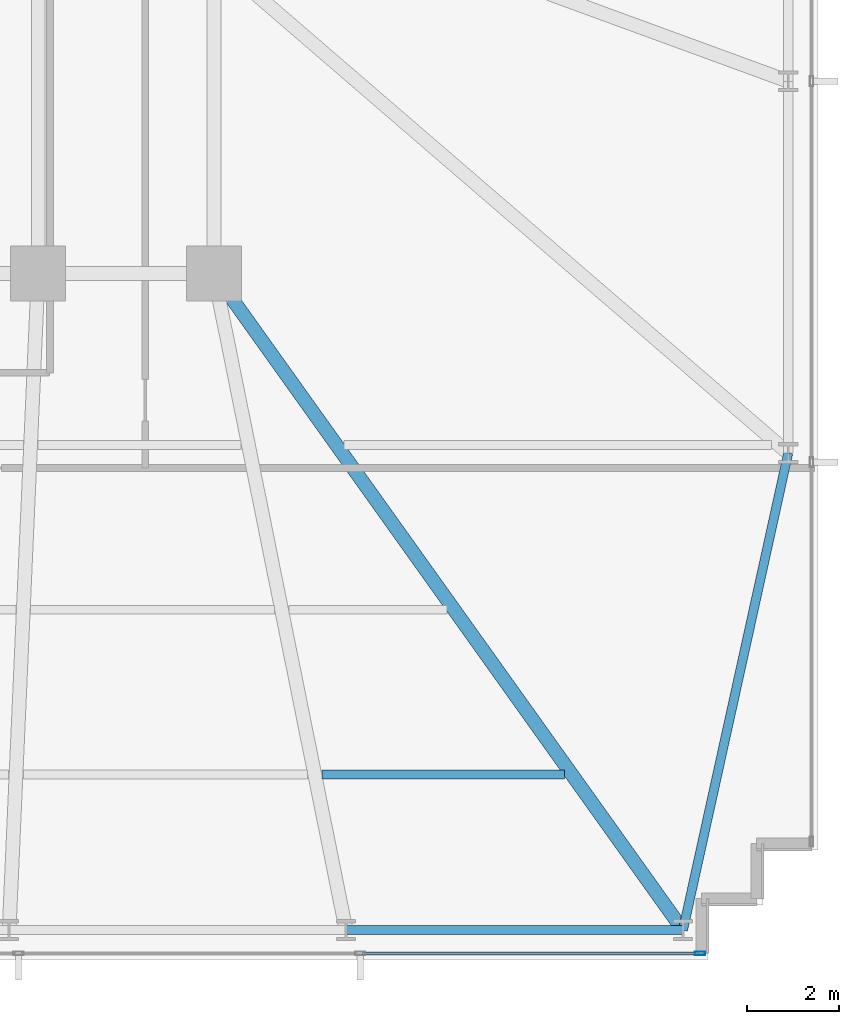
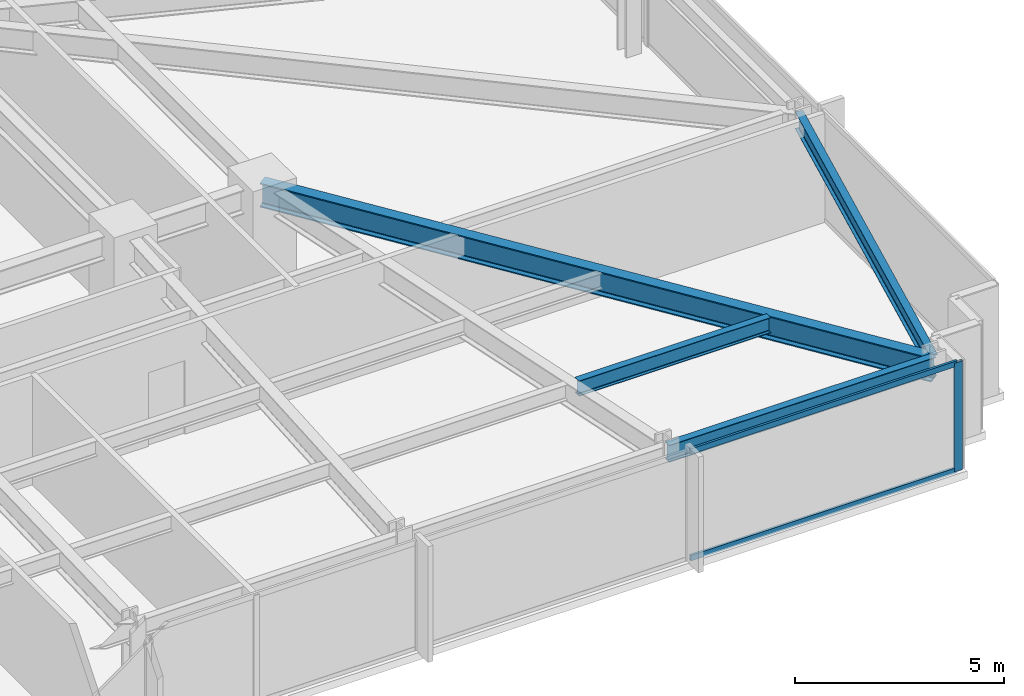
# One storey, part 15 of 32: 4 beams, 3 members, 1 element without a shape of its own.
"""IFC4 building model written with IfcOpenShell, lengths in metres."""

from ifc_helpers import new_model, si_unit, direction, frame, origin, origin_2d, place, context, subcontext, project, spatial, hollow_rectangle, i_section, extrude, material, material_profile, profile_set, type_object, element, aggregate, save


model = new_model("IFC4")

# Units and contexts
model_context = context("Model", 3, precision=1e-05, world=origin(), true_north=direction((0.0, 1.0)))
body_context = subcontext(model_context, "Body", "Model", "MODEL_VIEW")
ifc_project = project(units=[si_unit("LENGTHUNIT", "METRE"), si_unit("AREAUNIT", "SQUARE_METRE"), si_unit("VOLUMEUNIT", "CUBIC_METRE"), si_unit("PLANEANGLEUNIT", "RADIAN"), si_unit("MASSUNIT", "GRAM", prefix="KILO")], contexts=[model_context])

# Site, building, storey
site_placement = place(None, origin())
site = spatial("IfcSite", under=ifc_project, at=site_placement, CompositionType="ELEMENT")
building_placement = place(site_placement, origin())
building = spatial("IfcBuilding", under=site, at=building_placement, Name="Yelkora Congress Tower", CompositionType="ELEMENT")
storey_placement = place(building_placement, frame((0.0, 0.0, 40.60009765625)))
storey = spatial("IfcBuildingStorey", under=building, at=storey_placement, Name="L09", CompositionType="ELEMENT", Elevation=40.60009765625)

# Beams
ifc_material_1 = material(Name="Steel S355J2", Category="steel")
ifc_material_profile_1 = material_profile(ifc_material_1, i_section(OverallWidth=0.300048828125, OverallDepth=0.699951171875, WebThickness=0.01708984375, FlangeThickness=0.031982421875, FilletRadius=0.027099609375, at=origin_2d()), Name="HEB 700")
ifc_profile_set_1 = profile_set([ifc_material_profile_1], Name="Steel S355J2")
beam_type_1 = type_object("IfcBeamType", Name="BM-GIRD-HEB700", PredefinedType="BEAM", material=ifc_profile_set_1)
beam_1_placement = place(storey_placement, frame((67.85009765625, 10.85009765625, 2.829833984375), z_axis=(-0.581242122521, 0.813730664906, 0.0), x_axis=(-0.813730664906, -0.581242122521, 0.0)))
element("IfcBeam", 1, at=beam_1_placement, inside=storey, type_object=beam_type_1, Name="L09 Primary Frame Girder S09", PredefinedType="BEAM", context=body_context, shape_type="SweptSolid", body=[
    extrude(i_section(OverallWidth=0.300048828125, OverallDepth=0.699951171875, WebThickness=0.01708984375, FlangeThickness=0.031982421875, FilletRadius=0.027099609375, at=origin_2d()), origin(), (0.0, 0.0, 1.0), 17.634765625),
])
ifc_material_profile_2 = material_profile(ifc_material_1, i_section(OverallWidth=0.18994140625, OverallDepth=0.449951171875, WebThickness=0.009521484375, FlangeThickness=0.0146484375, FilletRadius=0.02099609375, at=origin_2d()), Name="IPE 450")
ifc_profile_set_2 = profile_set([ifc_material_profile_2], Name="Steel S355J2")
beam_type_2 = type_object("IfcBeamType", Name="BM-JOIST-IPE450", PredefinedType="JOIST", material=ifc_profile_set_2)
beam_2_placement = place(storey_placement, frame((59.96337890625, 14.25, 2.954833984375), z_axis=(1.0, 0.0, 0.0), x_axis=(0.0, 1.0, 0.0)))
element("IfcBeam", 2, at=beam_2_placement, inside=storey, type_object=beam_type_2, Name="L09 Composite Floor Joist 8", PredefinedType="JOIST", context=body_context, shape_type="SweptSolid", body=[
    extrude(i_section(OverallWidth=0.18994140625, OverallDepth=0.449951171875, WebThickness=0.009521484375, FlangeThickness=0.0146484375, FilletRadius=0.02099609375, at=origin_2d()), origin(), (0.0, 0.0, 1.0), 5.298095703125),
])
ifc_material_profile_3 = material_profile(ifc_material_1, i_section(OverallWidth=0.199951171875, OverallDepth=0.5, WebThickness=0.01025390625, FlangeThickness=0.01611328125, FilletRadius=0.02099609375, at=origin_2d()), Name="IPE 500")
ifc_profile_set_3 = profile_set([ifc_material_profile_3], Name="Steel S355J2")
beam_type_3 = type_object("IfcBeamType", Name="BM-SPAN-IPE500", PredefinedType="SPANDREL", material=ifc_profile_set_3)
beam_3_placement = place(storey_placement, frame((60.487548828125, 10.85009765625, 2.929931640625), z_axis=(1.0, 0.0, 0.0), x_axis=(0.0, 1.0, 0.0)))
element("IfcBeam", 3, at=beam_3_placement, inside=storey, type_object=beam_type_3, Name="L09 Perimeter Beam 9", PredefinedType="SPANDREL", context=body_context, shape_type="SweptSolid", body=[
    extrude(i_section(OverallWidth=0.199951171875, OverallDepth=0.5, WebThickness=0.01025390625, FlangeThickness=0.01611328125, FilletRadius=0.02099609375, at=origin_2d()), origin(), (0.0, 0.0, 1.0), 7.362548828125),
])
beam_4_placement = place(storey_placement, frame((67.85009765625, 10.85009765625, 2.929931640625), z_axis=(0.215428898349, 0.97651952861, 0.0), x_axis=(-0.97651952861, 0.215428898349, 0.0)))
element("IfcBeam", 4, at=beam_4_placement, inside=storey, type_object=beam_type_3, Name="L09 Perimeter Beam 10", PredefinedType="SPANDREL", context=body_context, shape_type="SweptSolid", body=[
    extrude(i_section(OverallWidth=0.199951171875, OverallDepth=0.5, WebThickness=0.01025390625, FlangeThickness=0.01611328125, FilletRadius=0.02099609375, at=origin_2d()), origin(), (0.0, 0.0, 1.0), 10.675537109375),
])

# Curtain wall, members
ifc_material_2 = material(Name="Anodised aluminium and insulated glass", Category="aluminium")
curtain_wall_type = type_object("IfcCurtainWallType", Name="CW-SYS-B1", PredefinedType="NOTDEFINED", material=ifc_material_2)
curtain_wall_placement = place(storey_placement, origin())
curtain_wall = element("IfcCurtainWall", 5, at=curtain_wall_placement, inside=storey, type_object=curtain_wall_type, Name="L09 Unitised Curtain Wall 20", PredefinedType="NOTDEFINED")
ifc_material_3 = material(Name="Anodised aluminium 6063-T6", Category="aluminium")
ifc_material_profile_4 = material_profile(ifc_material_3, hollow_rectangle(XDim=0.074951171875, YDim=0.219970703125, WallThickness=0.0048828125, at=origin_2d()), Name="ALU 75x220x5")
ifc_profile_set_4 = profile_set([ifc_material_profile_4], Name="Anodised aluminium 6063-T6")
member_type_1 = type_object("IfcMemberType", Name="MEM-ML-B1", PredefinedType="MULLION", material=ifc_profile_set_4)
member_1_placement = place(storey_placement, frame((68.222412109375, 10.340087890625, 0.0), z_axis=(0.0, 0.0, 1.0), x_axis=(0.0, -1.0, 0.0)))
member_1 = element("IfcMember", 6, at=member_1_placement, type_object=member_type_1, Name="CW-B1 mullion 1", PredefinedType="MULLION", context=body_context, shape_type="SweptSolid", body=[
    extrude(hollow_rectangle(XDim=0.074951171875, YDim=0.219970703125, WallThickness=0.0048828125, at=origin_2d()), origin(), (0.0, 0.0, 1.0), 3.179931640625),
])
ifc_material_profile_5 = material_profile(ifc_material_3, hollow_rectangle(XDim=0.06494140625, YDim=0.159912109375, WallThickness=0.00390625, at=origin_2d()), Name="ALU 65x160x4")
ifc_profile_set_5 = profile_set([ifc_material_profile_5], Name="Anodised aluminium 6063-T6")
member_type_2 = type_object("IfcMemberType", Name="MEM-TR-B1", PredefinedType="USERDEFINED", material=ifc_profile_set_5)
member_2_placement = place(storey_placement, frame((68.18505859375, 10.340087890625, 0.032470703125), z_axis=(-1.0, 0.0, 0.0), x_axis=(0.0, -1.0, 0.0)))
member_2 = element("IfcMember", 7, at=member_2_placement, type_object=member_type_2, Name="CW-B1 transom 1.1", ObjectType="TRANSOM", PredefinedType="USERDEFINED", context=body_context, shape_type="SweptSolid", body=[
    extrude(hollow_rectangle(XDim=0.06494140625, YDim=0.159912109375, WallThickness=0.00390625, at=origin_2d()), origin(), (0.0, 0.0, 1.0), 7.3525390625),
])
member_3_placement = place(storey_placement, frame((68.18505859375, 10.340087890625, 3.1474609375), z_axis=(-1.0, 0.0, 0.0), x_axis=(0.0, -1.0, 0.0)))
member_3 = element("IfcMember", 8, at=member_3_placement, type_object=member_type_2, Name="CW-B1 transom 1.2", ObjectType="TRANSOM", PredefinedType="USERDEFINED", context=body_context, shape_type="SweptSolid", body=[
    extrude(hollow_rectangle(XDim=0.06494140625, YDim=0.159912109375, WallThickness=0.00390625, at=origin_2d()), origin(), (0.0, 0.0, 1.0), 7.3525390625),
])
aggregate(curtain_wall, [member_1, member_2, member_3])

save(model, "model.ifc")
